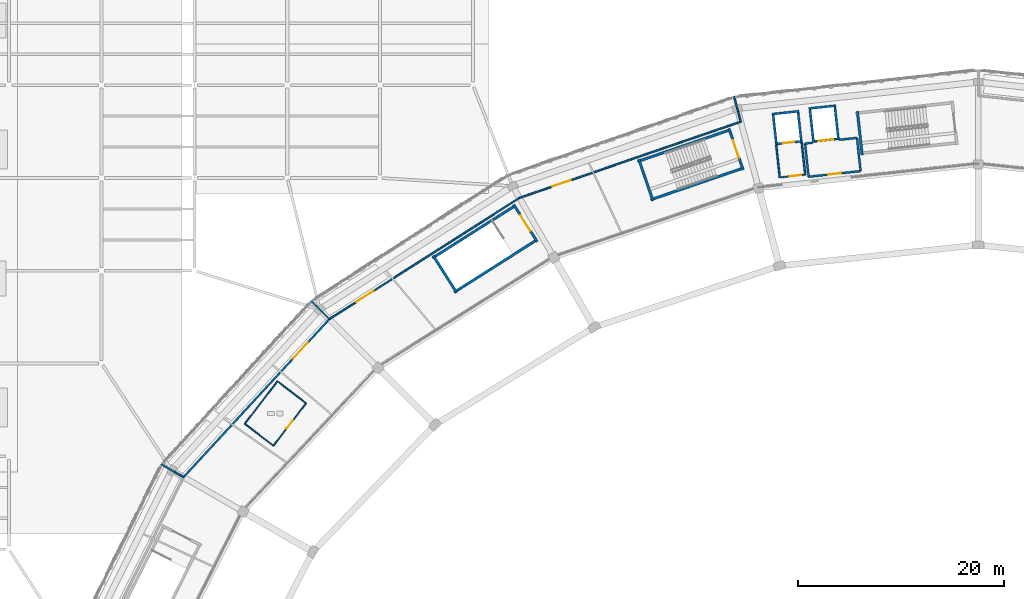
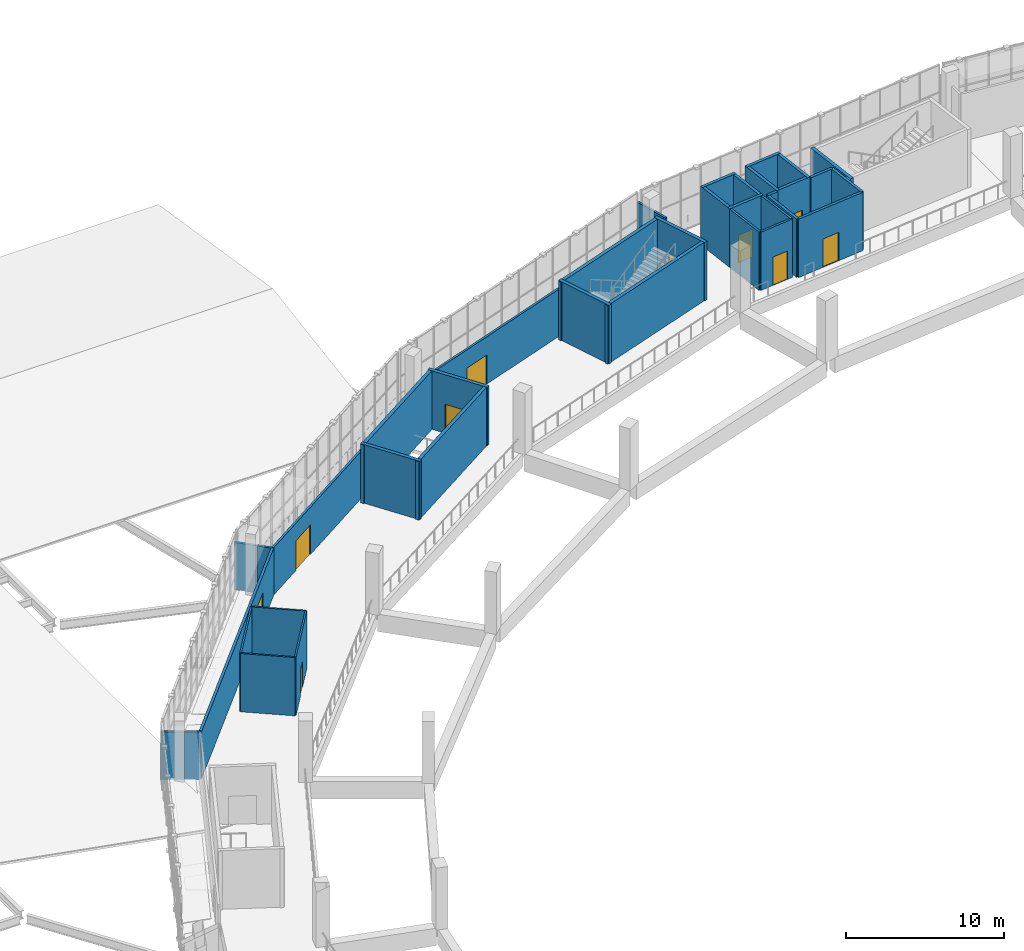
# One storey, part 72 of 108: 38 walls, 10 doors, 10 openings.
"""IFC4 building model written with IfcOpenShell, lengths in metres."""

from ifc_helpers import new_model, si_unit, direction, frame, frame_2d, origin, place, context, subcontext, project, spatial, rectangle, extrude, material, layer, layer_set, type_object, element, fill, save


model = new_model("IFC4")

# Units and contexts
model_context = context("Model", 3, precision=1e-05, world=origin(), true_north=direction((0.0, 1.0)))
body_context = subcontext(model_context, "Body", "Model", "MODEL_VIEW")
ifc_project = project(units=[si_unit("LENGTHUNIT", "METRE"), si_unit("AREAUNIT", "SQUARE_METRE"), si_unit("VOLUMEUNIT", "CUBIC_METRE"), si_unit("PLANEANGLEUNIT", "RADIAN"), si_unit("MASSUNIT", "GRAM", prefix="KILO")], contexts=[model_context])

# Site, building, storey
site_placement = place(None, origin())
site = spatial("IfcSite", under=ifc_project, at=site_placement, CompositionType="ELEMENT")
building_placement = place(site_placement, origin())
building = spatial("IfcBuilding", under=site, at=building_placement, Name="Zevraka Park Crest Stadium", CompositionType="ELEMENT")
storey_placement = place(building_placement, frame((0.0, 0.0, 19.800048828125)))
storey = spatial("IfcBuildingStorey", under=building, at=storey_placement, Name="L04", CompositionType="ELEMENT", Elevation=19.800048828125)

# Walls
ifc_material_1 = material(Name="Autoclaved aerated masonry blockwork", Category="masonry")
ifc_layer_1 = layer(ifc_material_1, 0.199951171875)
ifc_layer_set_1 = layer_set([ifc_layer_1], Name="Autoclaved aerated masonry blockwork")
wall_type_1 = type_object("IfcWallType", Name="IW01", PredefinedType="PARTITIONING", material=ifc_layer_set_1)
wall_1_placement = place(storey_placement, frame((95.195068359375, 161.3349609375, 0.0), z_axis=(0.0, 0.0, 1.0), x_axis=(0.994146742738, 0.108038205757, 0.0)))
element("IfcWall", 1, at=wall_1_placement, inside=storey, type_object=wall_type_1, Name="Firefighting Lift Lobby Wall IW01 FL02 L04 BACKL", PredefinedType="PARTITIONING", context=body_context, shape_type="SweptSolid", body=[
    extrude(rectangle(XDim=0.750244140625, YDim=0.199951171875, at=frame_2d((0.375, 0.0))), origin(), (0.0, 0.0, 1.0), 4.52001953125),
])
wall_2_placement = place(storey_placement, frame((98.52490234375, 161.697998046875, 0.0), z_axis=(0.0, 0.0, 1.0), x_axis=(0.994135511072, 0.108141507414, 0.0)))
element("IfcWall", 2, at=wall_2_placement, inside=storey, type_object=wall_type_1, Name="Firefighting Lift Lobby Wall IW01 FL02 L04 BACKR", PredefinedType="PARTITIONING", context=body_context, shape_type="SweptSolid", body=[
    extrude(rectangle(XDim=1.72021484375, YDim=0.199951171875, at=frame_2d((0.860107421875, 0.0))), origin(), (0.0, 0.0, 1.0), 4.52001953125),
])
for number, where, z_axis, x_axis, name in (
    (3, (95.195068359375, 161.3349609375, 0.0), (0.0, 0.0, 1.0), (0.108280975823, -0.994120329877, 0.0), "Firefighting Lift Lobby Wall IW01 FL02 L04 LEFT"),
    (4, (100.235107421875, 161.884033203125, 0.0), (0.0, 0.0, 1.0), (0.108280975823, -0.994120329877, 0.0), "Firefighting Lift Lobby Wall IW01 FL02 L04 RIGHT"),
):
    element("IfcWall", number, at=place(storey_placement, frame(where, z_axis=z_axis, x_axis=x_axis)), inside=storey, type_object=wall_type_1, Name=name, PredefinedType="PARTITIONING", context=body_context, shape_type="SweptSolid", body=[
        extrude(rectangle(XDim=3.239990234375, YDim=0.199951171875, at=frame_2d((1.6201171875, 0.0))), origin(), (0.0, 0.0, 1.0), 4.52001953125),
    ])

# Wall, opening, door
wall_3_placement = place(storey_placement, frame((95.5458984375, 158.114013671875, 0.0), z_axis=(0.0, 0.0, 1.0), x_axis=(0.994118117986, 0.108301281116, 0.0)))
wall_3 = element("IfcWall", 5, at=wall_3_placement, inside=storey, type_object=wall_type_1, Name="Firefighting Lift Lobby Wall IW01 FL02 L04 FRONT", PredefinedType="PARTITIONING", context=body_context, shape_type="SweptSolid", body=[
    extrude(rectangle(XDim=5.06982421875, YDim=0.199951171875, at=frame_2d((2.534912109375, 0.0))), origin(), (0.0, 0.0, 1.0), 4.52001953125),
])
opening_1_placement = place(wall_3_placement, frame((1.909912109375, 0.0, 0.0)))
opening_1 = element("IfcOpeningElement", 6, at=opening_1_placement, cuts=wall_3, Name="Opening D-L04-299", PredefinedType="OPENING", context=body_context, shape_type="SweptSolid", body=[
    extrude(rectangle(XDim=1.25, YDim=2.199951171875, at=frame_2d((0.625, 1.10009765625))), frame((0.0, 0.10986328125, 0.0), z_axis=(0.0, -1.0, 0.0), x_axis=(1.0, 0.0, 0.0)), (0.0, 0.0, 1.0), 0.219970703125),
])
ifc_material_2 = material(Name="Solid-core hardwood timber leaf in steel frame", Category="steel")
door_type_1 = type_object("IfcDoorType", Name="DR07", OperationType="NOTDEFINED", PredefinedType="DOOR", material=ifc_material_2)
door_1_placement = place(opening_1_placement, origin())
door_1 = element("IfcDoor", 7, at=door_1_placement, inside=storey, type_object=door_type_1, Name="Firefighting Lift Lobby FL02 Door D-L04-299", OperationType="SINGLE_SWING_LEFT", OverallHeight=2.199951171875, OverallWidth=1.25, PredefinedType="DOOR", context=body_context, shape_type="SweptSolid", body=[
    extrude(rectangle(XDim=1.25, YDim=2.199951171875, at=frame_2d((0.625, 1.10009765625))), frame((0.0, 0.02490234375, 0.0), z_axis=(0.0, -1.0, 0.0), x_axis=(1.0, 0.0, 0.0)), (0.0, 0.0, 1.0), 0.050048828125),
])
fill(opening_1, door_1)

# Walls
ifc_material_3 = material(Name="Fire-rated twin-stud acoustic drywall", Category="other")
ifc_layer_2 = layer(ifc_material_3, 0.159912109375)
ifc_layer_set_2 = layer_set([ifc_layer_2], Name="Fire-rated twin-stud acoustic drywall")
wall_type_2 = type_object("IfcWallType", Name="IW02", PredefinedType="PARTITIONING", material=ifc_layer_set_2)
wall_4_placement = place(storey_placement, frame((92.403076171875, 161.200927734375, 0.0), z_axis=(0.0, 0.0, 1.0), x_axis=(0.108800302456, -0.99406362683, 0.0)))
element("IfcWall", 8, at=wall_4_placement, inside=storey, type_object=wall_type_2, Name="Passenger Lift Lobby Wall IW02 PL02 L04 LEFT", PredefinedType="PARTITIONING", context=body_context, shape_type="SweptSolid", body=[
    extrude(rectangle(XDim=3.170654296875, YDim=0.159912109375, at=frame_2d((1.58544921875, 0.0))), origin(), (0.0, 0.0, 1.0), 4.52001953125),
])
wall_5_placement = place(storey_placement, frame((94.868896484375, 161.469970703125, 0.0), z_axis=(0.0, 0.0, 1.0), x_axis=(0.108909733757, -0.994051643474, 0.0)))
element("IfcWall", 9, at=wall_5_placement, inside=storey, type_object=wall_type_2, Name="Passenger Lift Lobby Wall IW02 PL02 L04 RIGHT", PredefinedType="PARTITIONING", context=body_context, shape_type="SweptSolid", body=[
    extrude(rectangle(XDim=3.169677734375, YDim=0.159912109375, at=frame_2d((1.5849609375, 0.0))), origin(), (0.0, 0.0, 1.0), 4.52001953125),
])

# Wall, opening, door
wall_6_placement = place(storey_placement, frame((92.748046875, 158.049072265625, 0.0), z_axis=(0.0, 0.0, 1.0), x_axis=(0.994058887757, 0.1088435927, 0.0)))
wall_6 = element("IfcWall", 10, at=wall_6_placement, inside=storey, type_object=wall_type_2, Name="Passenger Lift Lobby Wall IW02 PL02 L04 FRONT", PredefinedType="PARTITIONING", context=body_context, shape_type="SweptSolid", body=[
    extrude(rectangle(XDim=2.480712890625, YDim=0.159912109375, at=frame_2d((1.240234375, 0.0))), origin(), (0.0, 0.0, 1.0), 4.52001953125),
])
opening_2_placement = place(wall_6_placement, frame((0.962890625, 0.0, 0.0)))
opening_2 = element("IfcOpeningElement", 11, at=opening_2_placement, cuts=wall_6, Name="Opening D-L04-305", PredefinedType="OPENING", context=body_context, shape_type="SweptSolid", body=[
    extrude(rectangle(XDim=1.14990234375, YDim=2.199951171875, at=frame_2d((0.574951171875, 1.10009765625))), frame((0.0, 0.08984375, 0.0), z_axis=(0.0, -1.0, 0.0), x_axis=(1.0, 0.0, 0.0)), (0.0, 0.0, 1.0), 0.179931640625),
])
ifc_material_4 = material(Name="Solid-core hardwood timber leaf in steel frame", Category="steel")
door_type_2 = type_object("IfcDoorType", Name="DR03", OperationType="NOTDEFINED", PredefinedType="DOOR", material=ifc_material_4)
door_2_placement = place(opening_2_placement, origin())
door_2 = element("IfcDoor", 12, at=door_2_placement, inside=storey, type_object=door_type_2, Name="Passenger Lift Lobby PL02 Door D-L04-305", OperationType="SINGLE_SWING_LEFT", OverallHeight=2.199951171875, OverallWidth=1.14990234375, PredefinedType="DOOR", context=body_context, shape_type="SweptSolid", body=[
    extrude(rectangle(XDim=1.14990234375, YDim=2.199951171875, at=frame_2d((0.574951171875, 1.10009765625))), frame((0.0, 0.02490234375, 0.0), z_axis=(0.0, -1.0, 0.0), x_axis=(1.0, 0.0, 0.0)), (0.0, 0.0, 1.0), 0.050048828125),
])
fill(opening_2, door_2)

wall_7_placement = place(storey_placement, frame((88.969970703125, 163.458984375, 0.0), z_axis=(0.0, 0.0, 1.0), x_axis=(-0.945509956828, -0.32559318411, 0.0)))
wall_7 = element("IfcWall", 13, at=wall_7_placement, inside=storey, type_object=wall_type_2, Name="Interior Partition IW02 Suite Servery Pantry L04", PredefinedType="PARTITIONING", context=body_context, shape_type="SweptSolid", body=[
    extrude(rectangle(XDim=22.69677734375, YDim=0.159912109375, at=frame_2d((11.348388671875, 0.0))), origin(), (0.0, 0.0, 1.0), 3.6650390625),
])
opening_3_placement = place(wall_7_placement, frame((17.423095703125, 0.0, 0.0)))
opening_3 = element("IfcOpeningElement", 14, at=opening_3_placement, cuts=wall_7, Name="Opening D-L04-477", PredefinedType="OPENING", context=body_context, shape_type="SweptSolid", body=[
    extrude(rectangle(XDim=1.89990234375, YDim=2.25, at=frame_2d((0.949951171875, 1.125))), frame((0.0, 0.08984375, 0.0), z_axis=(0.0, -1.0, 0.0), x_axis=(1.0, 0.0, 0.0)), (0.0, 0.0, 1.0), 0.179931640625),
])
ifc_material_5 = material(Name="Solid-core hardwood timber leaf in steel frame", Category="steel")
door_type_3 = type_object("IfcDoorType", Name="DR15", OperationType="NOTDEFINED", PredefinedType="DOOR", material=ifc_material_5)
door_3_placement = place(opening_3_placement, origin())
door_3 = element("IfcDoor", 15, at=door_3_placement, inside=storey, type_object=door_type_3, Name="Suite Servery Pantry Door D-L04-477", OperationType="DOUBLE_DOOR_SINGLE_SWING", OverallHeight=2.25, OverallWidth=1.89990234375, PredefinedType="DOOR", context=body_context, shape_type="SweptSolid", body=[
    extrude(rectangle(XDim=1.89990234375, YDim=2.25, at=frame_2d((0.949951171875, 1.125))), frame((0.0, 0.02490234375, 0.0), z_axis=(0.0, -1.0, 0.0), x_axis=(1.0, 0.0, 0.0)), (0.0, 0.0, 1.0), 0.050048828125),
])
fill(opening_3, door_3)

wall_8_placement = place(storey_placement, frame((67.510009765625, 156.069091796875, 0.0), z_axis=(0.0, 0.0, 1.0), x_axis=(-0.843035459997, -0.537857986077, 0.0)))
wall_8 = element("IfcWall", 16, at=wall_8_placement, inside=storey, type_object=wall_type_2, Name="Interior Partition IW02 Suite Servery Pantry L04", PredefinedType="PARTITIONING", context=body_context, shape_type="SweptSolid", body=[
    extrude(rectangle(XDim=21.859130859375, YDim=0.159912109375, at=frame_2d((10.9296875, 0.0))), origin(), (0.0, 0.0, 1.0), 3.6650390625),
])
opening_4_placement = place(wall_8_placement, frame((16.782958984375, 0.0, 0.0)))
opening_4 = element("IfcOpeningElement", 17, at=opening_4_placement, cuts=wall_8, Name="Opening D-L04-478", PredefinedType="OPENING", context=body_context, shape_type="SweptSolid", body=[
    extrude(rectangle(XDim=2.0, YDim=2.300048828125, at=frame_2d((1.0, 1.14990234375))), frame((0.0, 0.08984375, 0.0), z_axis=(0.0, -1.0, 0.0), x_axis=(1.0, 0.0, 0.0)), (0.0, 0.0, 1.0), 0.179931640625),
])
ifc_material_6 = material(Name="Solid-core hardwood timber leaf in steel frame", Category="steel")
door_type_4 = type_object("IfcDoorType", Name="DR16", OperationType="NOTDEFINED", PredefinedType="DOOR", material=ifc_material_6)
door_4_placement = place(opening_4_placement, origin())
door_4 = element("IfcDoor", 18, at=door_4_placement, inside=storey, type_object=door_type_4, Name="Suite Servery Pantry Door D-L04-478", OperationType="DOUBLE_DOOR_SINGLE_SWING", OverallHeight=2.300048828125, OverallWidth=2.0, PredefinedType="DOOR", context=body_context, shape_type="SweptSolid", body=[
    extrude(rectangle(XDim=2.0, YDim=2.300048828125, at=frame_2d((1.0, 1.14990234375))), frame((0.0, 0.02490234375, 0.0), z_axis=(0.0, -1.0, 0.0), x_axis=(1.0, 0.0, 0.0)), (0.0, 0.0, 1.0), 0.050048828125),
])
fill(opening_4, door_4)

# Walls
wall_9_placement = place(storey_placement, frame((88.969970703125, 163.458984375, 0.0), z_axis=(0.0, 0.0, 1.0), x_axis=(-0.258550707932, 0.965997687072, 0.0)))
element("IfcWall", 19, at=wall_9_placement, inside=storey, type_object=wall_type_2, Name="Interior Partition IW02 Suite Servery Pantry L04", PredefinedType="PARTITIONING", context=body_context, shape_type="SweptSolid", body=[
    extrude(rectangle(XDim=1.009521484375, YDim=0.159912109375, at=frame_2d((0.5048828125, 0.0))), origin(), (0.0, 0.0, 1.0), 3.6650390625),
])
wall_10_placement = place(storey_placement, frame((88.7119140625, 164.4189453125, 0.0), z_axis=(0.0, 0.0, 1.0), x_axis=(-0.25809085904, 0.966120649029, 0.0)))
element("IfcWall", 20, at=wall_10_placement, inside=storey, type_object=wall_type_2, Name="Interior Partition IW02 Suite Servery Pantry L04", PredefinedType="PARTITIONING", context=body_context, shape_type="SweptSolid", body=[
    extrude(rectangle(XDim=1.52587890625, YDim=0.159912109375, at=frame_2d((0.762939453125, 0.0))), origin(), (0.0, 0.0, 1.0), 3.6650390625),
])
wall_11_placement = place(storey_placement, frame((49.08203125, 144.31201171875, 0.0), z_axis=(0.0, 0.0, 1.0), x_axis=(-0.70722766447, 0.706985877234, 0.0)))
element("IfcWall", 21, at=wall_11_placement, inside=storey, type_object=wall_type_2, Name="Interior Partition IW02 Suite Servery Pantry L04", PredefinedType="PARTITIONING", context=body_context, shape_type="SweptSolid", body=[
    extrude(rectangle(XDim=1.009765625, YDim=0.159912109375, at=frame_2d((0.5048828125, 0.0))), origin(), (0.0, 0.0, 1.0), 3.6650390625),
])
wall_12_placement = place(storey_placement, frame((48.37890625, 145.014892578125, 0.0), z_axis=(0.0, 0.0, 1.0), x_axis=(-0.707026778157, 0.707186775165, 0.0)))
element("IfcWall", 22, at=wall_12_placement, inside=storey, type_object=wall_type_2, Name="Interior Partition IW02 Suite Servery Pantry L04", PredefinedType="PARTITIONING", context=body_context, shape_type="SweptSolid", body=[
    extrude(rectangle(XDim=1.52587890625, YDim=0.159912109375, at=frame_2d((0.762939453125, 0.0))), origin(), (0.0, 0.0, 1.0), 3.6650390625),
])

# Wall, opening, door
ifc_material_7 = material(Name="Moisture-resistant sanitary partition", Category="other")
ifc_layer_3 = layer(ifc_material_7, 0.1201171875)
ifc_layer_set_3 = layer_set([ifc_layer_3], Name="Moisture-resistant sanitary partition")
wall_type_3 = type_object("IfcWallType", Name="IW04", PredefinedType="PARTITIONING", material=ifc_layer_set_3)
wall_13_placement = place(storey_placement, frame((46.822021484375, 136.158935546875, 0.0), z_axis=(0.0, 0.0, 1.0), x_axis=(-0.608648360817, -0.793440087767, 0.0)))
wall_13 = element("IfcWall", 23, at=wall_13_placement, inside=storey, type_object=wall_type_3, Name="Sanitary Enclosure Wall IW04 Male WC L04-001-1", PredefinedType="PARTITIONING", context=body_context, shape_type="SweptSolid", body=[
    extrude(rectangle(XDim=5.2001953125, YDim=0.1201171875, at=frame_2d((2.60009765625, 0.0))), origin(), (0.0, 0.0, 1.0), 4.52001953125),
])
opening_5_placement = place(wall_13_placement, frame((2.10009765625, 0.0, 0.0)))
opening_5 = element("IfcOpeningElement", 24, at=opening_5_placement, cuts=wall_13, Name="Opening D-L04-349", PredefinedType="OPENING", context=body_context, shape_type="SweptSolid", body=[
    extrude(rectangle(XDim=1.0, YDim=2.10009765625, at=frame_2d((0.5, 1.050048828125))), frame((0.0, 0.070068359375, 0.0), z_axis=(0.0, -1.0, 0.0), x_axis=(1.0, 0.0, 0.0)), (0.0, 0.0, 1.0), 0.14013671875),
])
ifc_material_8 = material(Name="Solid-core hardwood timber leaf in steel frame", Category="steel")
door_type_5 = type_object("IfcDoorType", Name="DR09", OperationType="NOTDEFINED", PredefinedType="DOOR", material=ifc_material_8)
door_5_placement = place(opening_5_placement, origin())
door_5 = element("IfcDoor", 25, at=door_5_placement, inside=storey, type_object=door_type_5, Name="Male WC Door D-L04-349", OperationType="SINGLE_SWING_LEFT", OverallHeight=2.10009765625, OverallWidth=1.0, PredefinedType="DOOR", context=body_context, shape_type="SweptSolid", body=[
    extrude(rectangle(XDim=1.0, YDim=2.10009765625, at=frame_2d((0.5, 1.050048828125))), frame((0.0, 0.02490234375, 0.0), z_axis=(0.0, -1.0, 0.0), x_axis=(1.0, 0.0, 0.0)), (0.0, 0.0, 1.0), 0.050048828125),
])
fill(opening_5, door_5)

# Walls
wall_14_placement = place(storey_placement, frame((43.656982421875, 132.032958984375, 0.0), z_axis=(0.0, 0.0, 1.0), x_axis=(-0.793331259853, 0.608790203715, 0.0)))
element("IfcWall", 26, at=wall_14_placement, inside=storey, type_object=wall_type_3, Name="Sanitary Enclosure Wall IW04 Male WC L04-001-2", PredefinedType="PARTITIONING", context=body_context, shape_type="SweptSolid", body=[
    extrude(rectangle(XDim=3.50048828125, YDim=0.1201171875, at=frame_2d((1.750244140625, 0.0))), origin(), (0.0, 0.0, 1.0), 4.52001953125),
])
wall_15_placement = place(storey_placement, frame((40.8798828125, 134.1640625, 0.0), z_axis=(0.0, 0.0, 1.0), x_axis=(0.608739062155, 0.793370502481, 0.0)))
element("IfcWall", 27, at=wall_15_placement, inside=storey, type_object=wall_type_3, Name="Sanitary Enclosure Wall IW04 Male WC L04-001-3", PredefinedType="PARTITIONING", context=body_context, shape_type="SweptSolid", body=[
    extrude(rectangle(XDim=5.19921875, YDim=0.1201171875, at=frame_2d((2.599609375, 0.0))), origin(), (0.0, 0.0, 1.0), 4.52001953125),
])
wall_16_placement = place(storey_placement, frame((44.044921875, 138.2890625, 0.0), z_axis=(0.0, 0.0, 1.0), x_axis=(0.793465999837, -0.608614580094, 0.0)))
element("IfcWall", 28, at=wall_16_placement, inside=storey, type_object=wall_type_3, Name="Sanitary Enclosure Wall IW04 Male WC L04-001-4", PredefinedType="PARTITIONING", context=body_context, shape_type="SweptSolid", body=[
    extrude(rectangle(XDim=3.5, YDim=0.1201171875, at=frame_2d((1.75, 0.0))), origin(), (0.0, 0.0, 1.0), 4.52001953125),
])

# Wall, opening, door
ifc_material_9 = material(Name="Fire-rated twin-stud acoustic drywall", Category="other")
ifc_layer_4 = layer(ifc_material_9, 0.179931640625)
ifc_layer_set_4 = layer_set([ifc_layer_4], Name="Fire-rated twin-stud acoustic drywall")
wall_type_4 = type_object("IfcWallType", Name="IW06", PredefinedType="PARTITIONING", material=ifc_layer_set_4)
wall_17_placement = place(storey_placement, frame((49.08203125, 144.31201171875, 0.0), z_axis=(0.0, 0.0, 1.0), x_axis=(-0.678220768878, -0.734858209903, 0.0)))
wall_17 = element("IfcWall", 29, at=wall_17_placement, inside=storey, type_object=wall_type_4, Name="Interior Partition IW06 Hospitality Suite L04", PredefinedType="PARTITIONING", context=body_context, shape_type="SweptSolid", body=[
    extrude(rectangle(XDim=20.850341796875, YDim=0.179931640625, at=frame_2d((10.42529296875, 0.0))), origin(), (0.0, 0.0, 1.0), 3.6650390625),
])
opening_6_placement = place(wall_17_placement, frame((3.0810546875, 0.0, 0.0)))
opening_6 = element("IfcOpeningElement", 30, at=opening_6_placement, cuts=wall_17, Name="Opening D-L04-479", PredefinedType="OPENING", context=body_context, shape_type="SweptSolid", body=[
    extrude(rectangle(XDim=2.10009765625, YDim=2.35009765625, at=frame_2d((1.050048828125, 1.175048828125))), frame((0.0, 0.099853515625, 0.0), z_axis=(0.0, -1.0, 0.0), x_axis=(1.0, 0.0, 0.0)), (0.0, 0.0, 1.0), 0.199951171875),
])
ifc_material_10 = material(Name="Solid-core hardwood timber leaf in steel frame", Category="steel")
door_type_6 = type_object("IfcDoorType", Name="DR17", OperationType="NOTDEFINED", PredefinedType="DOOR", material=ifc_material_10)
door_6_placement = place(opening_6_placement, origin())
door_6 = element("IfcDoor", 31, at=door_6_placement, inside=storey, type_object=door_type_6, Name="Hospitality Suite Door D-L04-479", OperationType="DOUBLE_DOOR_SINGLE_SWING", OverallHeight=2.35009765625, OverallWidth=2.10009765625, PredefinedType="DOOR", context=body_context, shape_type="SweptSolid", body=[
    extrude(rectangle(XDim=2.10009765625, YDim=2.35009765625, at=frame_2d((1.050048828125, 1.175048828125))), frame((0.0, 0.02490234375, 0.0), z_axis=(0.0, -1.0, 0.0), x_axis=(1.0, 0.0, 0.0)), (0.0, 0.0, 1.0), 0.050048828125),
])
fill(opening_6, door_6)

# Walls
wall_18_placement = place(storey_placement, frame((34.94091796875, 128.989990234375, 0.0), z_axis=(0.0, 0.0, 1.0), x_axis=(-0.866048774504, 0.499959518541, 0.0)))
element("IfcWall", 32, at=wall_18_placement, inside=storey, type_object=wall_type_4, Name="Interior Partition IW06 Hospitality Suite L04", PredefinedType="PARTITIONING", context=body_context, shape_type="SweptSolid", body=[
    extrude(rectangle(XDim=1.01025390625, YDim=0.179931640625, at=frame_2d((0.505126953125, 0.0))), origin(), (0.0, 0.0, 1.0), 3.6650390625),
])
wall_19_placement = place(storey_placement, frame((34.0791015625, 129.488037109375, 0.0), z_axis=(0.0, 0.0, 1.0), x_axis=(-0.866076232617, 0.499911951544, 0.0)))
element("IfcWall", 33, at=wall_19_placement, inside=storey, type_object=wall_type_4, Name="Interior Partition IW06 Hospitality Suite L04", PredefinedType="PARTITIONING", context=body_context, shape_type="SweptSolid", body=[
    extrude(rectangle(XDim=1.524169921875, YDim=0.179931640625, at=frame_2d((0.76220703125, 0.0))), origin(), (0.0, 0.0, 1.0), 3.6650390625),
])
ifc_material_11 = material(Name="Concrete C40/50", Category="concrete")
ifc_layer_5 = layer(ifc_material_11, 0.25)
ifc_layer_set_5 = layer_set([ifc_layer_5], Name="Concrete C40/50")
wall_type_5 = type_object("IfcWallType", Name="SW01", PredefinedType="SHEAR", material=ifc_layer_set_5)
wall_20_placement = place(storey_placement, frame((100.2744140625, 164.466064453125, 0.0), z_axis=(0.0, 0.0, 1.0), x_axis=(0.108204479885, -0.994128658944, 0.0)))
element("IfcWall", 34, at=wall_20_placement, inside=storey, type_object=wall_type_5, Name="Stair Core Shear Wall SW01 ST07 L04 far", PredefinedType="SHEAR", context=body_context, shape_type="SweptSolid", body=[
    extrude(rectangle(XDim=4.259765625, YDim=0.25, at=frame_2d((2.1298828125, 0.0))), origin(), (0.0, 0.0, 1.0), 4.5400390625),
])
wall_21_placement = place(storey_placement, frame((87.99267578125, 162.685791015625, 0.0), z_axis=(0.0, 0.0, 1.0), x_axis=(-0.946064424228, -0.323978556712, 0.0)))
element("IfcWall", 35, at=wall_21_placement, inside=storey, type_object=wall_type_5, Name="Stair Core Shear Wall SW01 ST08 L04 left", PredefinedType="SHEAR", context=body_context, shape_type="SweptSolid", body=[
    extrude(rectangle(XDim=9.550048828125, YDim=0.25, at=frame_2d((4.77490234375, 0.0))), origin(), (0.0, 0.0, 1.0), 4.5400390625),
])
wall_22_placement = place(storey_placement, frame((80.2275390625, 155.883056640625, 0.0), z_axis=(0.0, 0.0, 1.0), x_axis=(0.946067107432, 0.323970721263, 0.0)))
element("IfcWall", 36, at=wall_22_placement, inside=storey, type_object=wall_type_5, Name="Stair Core Shear Wall SW01 ST08 L04 right", PredefinedType="SHEAR", context=body_context, shape_type="SweptSolid", body=[
    extrude(rectangle(XDim=9.55029296875, YDim=0.25, at=frame_2d((4.775146484375, 0.0))), origin(), (0.0, 0.0, 1.0), 4.5400390625),
])

# Wall, opening, door
wall_23_placement = place(storey_placement, frame((89.199462890625, 158.77587890625, 0.0), z_axis=(0.0, 0.0, 1.0), x_axis=(-0.323988758717, 0.946060930504, 0.0)))
wall_23 = element("IfcWall", 37, at=wall_23_placement, inside=storey, type_object=wall_type_5, Name="Stair Core Shear Wall SW01 ST08 L04 near", PredefinedType="SHEAR", context=body_context, shape_type="SweptSolid", body=[
    extrude(rectangle(XDim=4.259765625, YDim=0.25, at=frame_2d((2.1298828125, 0.0))), origin(), (0.0, 0.0, 1.0), 4.5400390625),
])
opening_7_placement = place(wall_23_placement, frame((1.22998046875, 0.0, 0.0)))
opening_7 = element("IfcOpeningElement", 38, at=opening_7_placement, cuts=wall_23, Name="Opening D-L04-049", PredefinedType="OPENING", context=body_context, shape_type="SweptSolid", body=[
    extrude(rectangle(XDim=1.800048828125, YDim=2.25, at=frame_2d((0.89990234375, 1.125))), frame((0.0, 0.135009765625, 0.0), z_axis=(0.0, -1.0, 0.0), x_axis=(1.0, 0.0, 0.0)), (0.0, 0.0, 1.0), 0.27001953125),
])
ifc_material_12 = material(Name="Solid-core hardwood timber leaf in steel frame", Category="steel")
door_type_7 = type_object("IfcDoorType", Name="DR04", OperationType="NOTDEFINED", PredefinedType="DOOR", material=ifc_material_12)
door_7_placement = place(opening_7_placement, origin())
door_7 = element("IfcDoor", 39, at=door_7_placement, inside=storey, type_object=door_type_7, Name="Protected Stair Entry Door ST08 L04", OperationType="DOUBLE_DOOR_SINGLE_SWING", OverallHeight=2.25, OverallWidth=1.800048828125, PredefinedType="DOOR", context=body_context, shape_type="SweptSolid", body=[
    extrude(rectangle(XDim=1.800048828125, YDim=2.25, at=frame_2d((0.89990234375, 1.125))), frame((0.0, 0.02490234375, 0.0), z_axis=(0.0, -1.0, 0.0), x_axis=(1.0, 0.0, 0.0)), (0.0, 0.0, 1.0), 0.050048828125),
])
fill(opening_7, door_7)

# Walls
wall_24_placement = place(storey_placement, frame((79.07763671875, 159.8125, 0.0), z_axis=(0.0, 0.0, 1.0), x_axis=(0.323971192516, -0.946066946056, 0.0)))
element("IfcWall", 40, at=wall_24_placement, inside=storey, type_object=wall_type_5, Name="Stair Core Shear Wall SW01 ST08 L04 far", PredefinedType="SHEAR", context=body_context, shape_type="SweptSolid", body=[
    extrude(rectangle(XDim=4.260009765625, YDim=0.25, at=frame_2d((2.1298828125, 0.0))), origin(), (0.0, 0.0, 1.0), 4.5400390625),
])
for number, where, z_axis, x_axis, name in (
    (41, (67.147216796875, 155.343505859375, 0.0), (0.0, 0.0, 1.0), (-0.844391246241, -0.535727004427, 0.0), "Stair Core Shear Wall SW01 ST09 L04 left"),
    (42, (61.183349609375, 146.917236328125, 0.0), (0.0, 0.0, 1.0), (0.844391246241, 0.535727004427, 0.0), "Stair Core Shear Wall SW01 ST09 L04 right"),
):
    element("IfcWall", number, at=place(storey_placement, frame(where, z_axis=z_axis, x_axis=x_axis)), inside=storey, type_object=wall_type_5, Name=name, PredefinedType="SHEAR", context=body_context, shape_type="SweptSolid", body=[
        extrude(rectangle(XDim=9.550048828125, YDim=0.25, at=frame_2d((4.77490234375, 0.0))), origin(), (0.0, 0.0, 1.0), 4.5400390625),
    ])

# Wall, opening, door
wall_25_placement = place(storey_placement, frame((69.232666015625, 151.822998046875, 0.0), z_axis=(0.0, 0.0, 1.0), x_axis=(-0.535684577572, 0.844418162613, 0.0)))
wall_25 = element("IfcWall", 43, at=wall_25_placement, inside=storey, type_object=wall_type_5, Name="Stair Core Shear Wall SW01 ST09 L04 near", PredefinedType="SHEAR", context=body_context, shape_type="SweptSolid", body=[
    extrude(rectangle(XDim=4.260009765625, YDim=0.25, at=frame_2d((2.1298828125, 0.0))), origin(), (0.0, 0.0, 1.0), 4.5400390625),
])
opening_8_placement = place(wall_25_placement, frame((1.22998046875, 0.0, 0.0)))
opening_8 = element("IfcOpeningElement", 44, at=opening_8_placement, cuts=wall_25, Name="Opening D-L04-056", PredefinedType="OPENING", context=body_context, shape_type="SweptSolid", body=[
    extrude(rectangle(XDim=1.800048828125, YDim=2.25, at=frame_2d((0.89990234375, 1.125))), frame((0.0, 0.135009765625, 0.0), z_axis=(0.0, -1.0, 0.0), x_axis=(1.0, 0.0, 0.0)), (0.0, 0.0, 1.0), 0.27001953125),
])
door_8_placement = place(opening_8_placement, origin())
door_8 = element("IfcDoor", 45, at=door_8_placement, inside=storey, type_object=door_type_7, Name="Protected Stair Entry Door ST09 L04", OperationType="DOUBLE_DOOR_SINGLE_SWING", OverallHeight=2.25, OverallWidth=1.800048828125, PredefinedType="DOOR", context=body_context, shape_type="SweptSolid", body=[
    extrude(rectangle(XDim=1.800048828125, YDim=2.25, at=frame_2d((0.89990234375, 1.125))), frame((0.0, 0.02490234375, 0.0), z_axis=(0.0, -1.0, 0.0), x_axis=(1.0, 0.0, 0.0)), (0.0, 0.0, 1.0), 0.050048828125),
])
fill(opening_8, door_8)

# Walls
wall_26_placement = place(storey_placement, frame((59.1484375, 150.469970703125, 0.0), z_axis=(0.0, 0.0, 1.0), x_axis=(0.53572544074, -0.844392238325, 0.0)))
element("IfcWall", 46, at=wall_26_placement, inside=storey, type_object=wall_type_5, Name="Stair Core Shear Wall SW01 ST09 L04 far", PredefinedType="SHEAR", context=body_context, shape_type="SweptSolid", body=[
    extrude(rectangle(XDim=4.260009765625, YDim=0.25, at=frame_2d((2.1298828125, 0.0))), origin(), (0.0, 0.0, 1.0), 4.5400390625),
])
ifc_material_13 = material(Name="Concrete C40/50", Category="concrete")
ifc_layer_6 = layer(ifc_material_13, 0.219970703125)
ifc_layer_set_6 = layer_set([ifc_layer_6], Name="Concrete C40/50")
wall_type_6 = type_object("IfcWallType", Name="SW02", PredefinedType="SHEAR", material=ifc_layer_set_6)
wall_27_placement = place(storey_placement, frame((98.18310546875, 165.010986328125, 0.0), z_axis=(0.0, 0.0, 1.0), x_axis=(-0.994077313431, -0.108675180804, 0.0)))
element("IfcWall", 47, at=wall_27_placement, inside=storey, type_object=wall_type_6, Name="Lift Shaft Shear Wall SW02 FL02 L04-1", PredefinedType="SHEAR", context=body_context, shape_type="SweptSolid", body=[
    extrude(rectangle(XDim=2.6396484375, YDim=0.219970703125, at=frame_2d((1.31982421875, 0.0))), origin(), (0.0, 0.0, 1.0), 4.5400390625),
])
wall_28_placement = place(storey_placement, frame((95.656005859375, 164.844970703125, 0.0), z_axis=(0.0, 0.0, 1.0), x_axis=(0.108748511736, -0.994069293961, 0.0)))
element("IfcWall", 48, at=wall_28_placement, inside=storey, type_object=wall_type_6, Name="Lift Shaft Shear Wall SW02 FL02 L04-2", PredefinedType="SHEAR", context=body_context, shape_type="SweptSolid", body=[
    extrude(rectangle(XDim=3.439453125, YDim=0.219970703125, at=frame_2d((1.7197265625, 0.0))), origin(), (0.0, 0.0, 1.0), 4.5400390625),
])

# Wall, opening, door
wall_29_placement = place(storey_placement, frame((95.908935546875, 161.52294921875, 0.0), z_axis=(0.0, 0.0, 1.0), x_axis=(0.994067317545, 0.108766576613, 0.0)))
wall_29 = element("IfcWall", 49, at=wall_29_placement, inside=storey, type_object=wall_type_6, Name="Lift Shaft Shear Wall SW02 FL02 L04-3", PredefinedType="SHEAR", context=body_context, shape_type="SweptSolid", body=[
    extrude(rectangle(XDim=2.6396484375, YDim=0.219970703125, at=frame_2d((1.31982421875, 0.0))), origin(), (0.0, 0.0, 1.0), 4.5400390625),
])
opening_9_placement = place(wall_29_placement, frame((0.6201171875, 0.0, 0.0)))
opening_9 = element("IfcOpeningElement", 50, at=opening_9_placement, cuts=wall_29, Name="Opening LD-FL02-L04", PredefinedType="OPENING", context=body_context, shape_type="SweptSolid", body=[
    extrude(rectangle(XDim=1.39990234375, YDim=2.199951171875, at=frame_2d((0.699951171875, 1.10009765625))), frame((0.0, 0.119873046875, 0.0), z_axis=(0.0, -1.0, 0.0), x_axis=(1.0, 0.0, 0.0)), (0.0, 0.0, 1.0), 0.239990234375),
])
ifc_material_14 = material(Name="Brushed stainless steel lift landing doors", Category="steel")
door_type_8 = type_object("IfcDoorType", Name="LD01", OperationType="NOTDEFINED", PredefinedType="DOOR", material=ifc_material_14)
door_9_placement = place(opening_9_placement, origin())
door_9 = element("IfcDoor", 51, at=door_9_placement, inside=storey, type_object=door_type_8, Name="Lift Sliding Landing Door LD-FL02-L04", OperationType="SLIDING_TO_LEFT", OverallHeight=2.199951171875, OverallWidth=1.39990234375, PredefinedType="DOOR", context=body_context, shape_type="SweptSolid", body=[
    extrude(rectangle(XDim=1.39990234375, YDim=2.199951171875, at=frame_2d((0.699951171875, 1.10009765625))), frame((0.0, 0.02490234375, 0.0), z_axis=(0.0, -1.0, 0.0), x_axis=(1.0, 0.0, 0.0)), (0.0, 0.0, 1.0), 0.050048828125),
])
fill(opening_9, door_9)

# Walls
wall_30_placement = place(storey_placement, frame((98.43603515625, 161.68896484375, 0.0), z_axis=(0.0, 0.0, 1.0), x_axis=(-0.108748511736, 0.994069293961, 0.0)))
element("IfcWall", 52, at=wall_30_placement, inside=storey, type_object=wall_type_6, Name="Lift Shaft Shear Wall SW02 FL02 L04-4", PredefinedType="SHEAR", context=body_context, shape_type="SweptSolid", body=[
    extrude(rectangle(XDim=3.439453125, YDim=0.219970703125, at=frame_2d((1.7197265625, 0.0))), origin(), (0.0, 0.0, 1.0), 4.5400390625),
])
wall_31_placement = place(storey_placement, frame((94.62109375, 164.470947265625, 0.0), z_axis=(0.0, 0.0, 1.0), x_axis=(-0.994072941705, -0.108715162556, 0.0)))
element("IfcWall", 53, at=wall_31_placement, inside=storey, type_object=wall_type_6, Name="Lift Shaft Shear Wall SW02 PL02 L04-1", PredefinedType="SHEAR", context=body_context, shape_type="SweptSolid", body=[
    extrude(rectangle(XDim=2.638671875, YDim=0.219970703125, at=frame_2d((1.3193359375, 0.0))), origin(), (0.0, 0.0, 1.0), 4.5400390625),
])
wall_32_placement = place(storey_placement, frame((92.094970703125, 164.304931640625, 0.0), z_axis=(0.0, 0.0, 1.0), x_axis=(0.108638937738, -0.99408127495, 0.0)))
element("IfcWall", 54, at=wall_32_placement, inside=storey, type_object=wall_type_6, Name="Lift Shaft Shear Wall SW02 PL02 L04-2", PredefinedType="SHEAR", context=body_context, shape_type="SweptSolid", body=[
    extrude(rectangle(XDim=3.139404296875, YDim=0.219970703125, at=frame_2d((1.56982421875, 0.0))), origin(), (0.0, 0.0, 1.0), 4.5400390625),
])

# Wall, opening, door
wall_33_placement = place(storey_placement, frame((92.31494140625, 161.281005859375, 0.0), z_axis=(0.0, 0.0, 1.0), x_axis=(0.994062938508, 0.108806591184, 0.0)))
wall_33 = element("IfcWall", 55, at=wall_33_placement, inside=storey, type_object=wall_type_6, Name="Lift Shaft Shear Wall SW02 PL02 L04-3", PredefinedType="SHEAR", context=body_context, shape_type="SweptSolid", body=[
    extrude(rectangle(XDim=2.638671875, YDim=0.219970703125, at=frame_2d((1.3193359375, 0.0))), origin(), (0.0, 0.0, 1.0), 4.5400390625),
])
opening_10_placement = place(wall_33_placement, frame((0.76904296875, 0.0, 0.0)))
opening_10 = element("IfcOpeningElement", 56, at=opening_10_placement, cuts=wall_33, Name="Opening LD-PL02-L04", PredefinedType="OPENING", context=body_context, shape_type="SweptSolid", body=[
    extrude(rectangle(XDim=1.10009765625, YDim=2.14990234375, at=frame_2d((0.550048828125, 1.074951171875))), frame((0.0, 0.119873046875, 0.0), z_axis=(0.0, -1.0, 0.0), x_axis=(1.0, 0.0, 0.0)), (0.0, 0.0, 1.0), 0.239990234375),
])
ifc_material_15 = material(Name="Brushed stainless steel lift landing doors", Category="steel")
door_type_9 = type_object("IfcDoorType", Name="LD02", OperationType="NOTDEFINED", PredefinedType="DOOR", material=ifc_material_15)
door_10_placement = place(opening_10_placement, origin())
door_10 = element("IfcDoor", 57, at=door_10_placement, inside=storey, type_object=door_type_9, Name="Lift Sliding Landing Door LD-PL02-L04", OperationType="SLIDING_TO_LEFT", OverallHeight=2.14990234375, OverallWidth=1.10009765625, PredefinedType="DOOR", context=body_context, shape_type="SweptSolid", body=[
    extrude(rectangle(XDim=1.10009765625, YDim=2.14990234375, at=frame_2d((0.550048828125, 1.074951171875))), frame((0.0, 0.02490234375, 0.0), z_axis=(0.0, -1.0, 0.0), x_axis=(1.0, 0.0, 0.0)), (0.0, 0.0, 1.0), 0.050048828125),
])
fill(opening_10, door_10)

# Wall
wall_34_placement = place(storey_placement, frame((94.841064453125, 161.447021484375, 0.0), z_axis=(0.0, 0.0, 1.0), x_axis=(-0.108630539984, 0.99408219267, 0.0)))
element("IfcWall", 58, at=wall_34_placement, inside=storey, type_object=wall_type_6, Name="Lift Shaft Shear Wall SW02 PL02 L04-4", PredefinedType="SHEAR", context=body_context, shape_type="SweptSolid", body=[
    extrude(rectangle(XDim=3.1396484375, YDim=0.219970703125, at=frame_2d((1.56982421875, 0.0))), origin(), (0.0, 0.0, 1.0), 4.5400390625),
])

save(model, "model.ifc")
